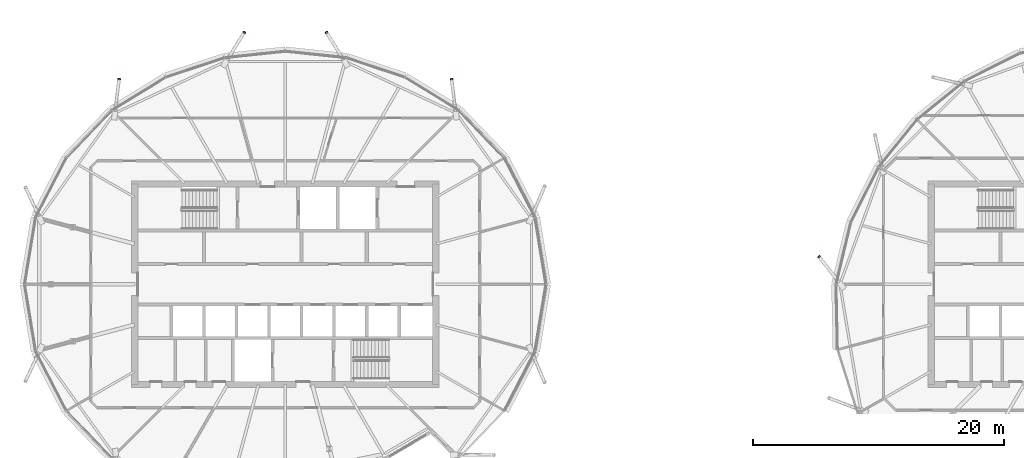
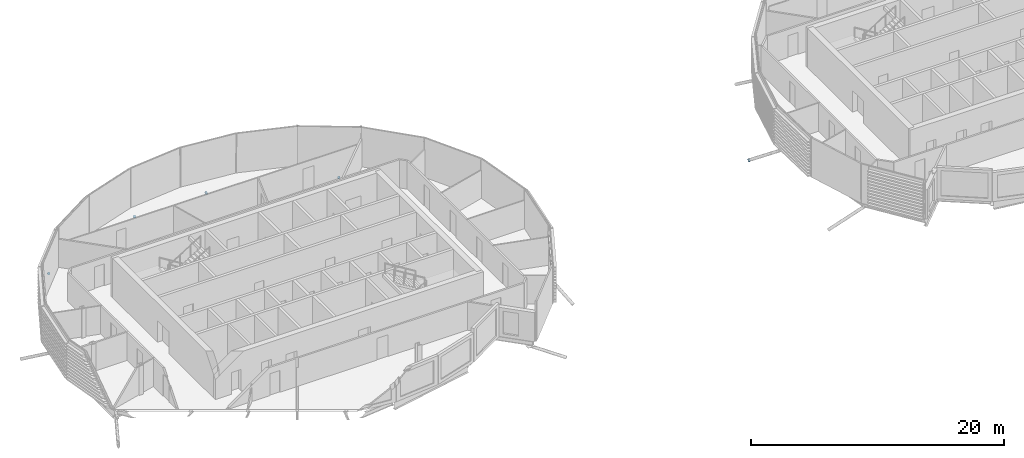
# One storey, part 27 of 35: 5 discrete accessories.
"""IFC4 building model written with IfcOpenShell, lengths in metres."""

from ifc_helpers import new_model, si_unit, direction, frame, origin, origin_2d, place, context, subcontext, project, spatial, circle, extrude, material, material_profile, profile_set, type_object, element, save


model = new_model("IFC4")

# Units and contexts
model_context = context("Model", 3, precision=1e-05, world=origin(), true_north=direction((0.0, 1.0)))
body_context = subcontext(model_context, "Body", "Model", "MODEL_VIEW")
ifc_project = project(units=[si_unit("LENGTHUNIT", "METRE"), si_unit("AREAUNIT", "SQUARE_METRE"), si_unit("VOLUMEUNIT", "CUBIC_METRE"), si_unit("PLANEANGLEUNIT", "RADIAN"), si_unit("MASSUNIT", "GRAM", prefix="KILO")], contexts=[model_context])

# Site, building, storey
site_placement = place(None, origin())
site = spatial("IfcSite", under=ifc_project, at=site_placement, CompositionType="ELEMENT")
building_placement = place(site_placement, origin())
building = spatial("IfcBuilding", under=site, at=building_placement, Name="Rimbun Link Towers", CompositionType="ELEMENT")
storey_placement = place(building_placement, frame((0.0, 0.0, 229.5)))
storey = spatial("IfcBuildingStorey", under=building, at=storey_placement, Name="L56", CompositionType="ELEMENT", Elevation=229.5)

# Discrete accessories
ifc_material = material(Name="Steel S355J2H", Category="steel")
ifc_material_profile = material_profile(ifc_material, circle(Radius=0.1240234375, at=origin_2d()), Name="PL D248")
ifc_profile_set = profile_set([ifc_material_profile], Name="Steel S355J2H")
discrete_accessory_type = type_object("IfcDiscreteAccessoryType", Name="Link foot sealing plate D248X20", PredefinedType="BRACKET", material=ifc_profile_set)
for number, where, z_axis, x_axis, name in (
    (1, (-18.493896484375, 16.3564453125, -2.375244140625), (-0.110026423098, 0.843535910417, -0.525681799245), (-0.991600411186, -0.129339184068, 0.0), "Link foot sealing plate T1 L56 03"),
    (2, (-28.47021484375, 20.078369140625, -2.62451171875), (-0.440303152519, 0.709377301281, -0.550378940649), (-0.849640166198, -0.527362861778, 0.0), "Link foot sealing plate T1 L56 05"),
    (3, (-35.02978515625, 20.078369140625, -2.62451171875), (0.440303152519, 0.709377301281, -0.550378940649), (-0.849640166198, 0.527362861778, 0.0), "Link foot sealing plate T1 L56 07"),
    (4, (-45.006103515625, 16.3564453125, -2.375244140625), (0.110026423098, 0.843535910417, -0.525681799245), (-0.991600411186, 0.129339184068, 0.0), "Link foot sealing plate T1 L56 09"),
    (5, (10.810791015625, 2.1923828125, -2.375244140625), (-0.524429242173, 0.670781588826, -0.524429242173), (-0.787807166322, -0.615921966398, 0.0), "Link foot sealing plate T2 L56 09"),
):
    element("IfcDiscreteAccessory", number, at=place(storey_placement, frame(where, z_axis=z_axis, x_axis=x_axis)), inside=storey, type_object=discrete_accessory_type, Name=name, PredefinedType="BRACKET", context=body_context, shape_type="SweptSolid", body=[
        extrude(circle(Radius=0.1240234375, at=origin_2d()), origin(), (0.0, 0.0, 1.0), 0.02001953125),
    ])

save(model, "model.ifc")
